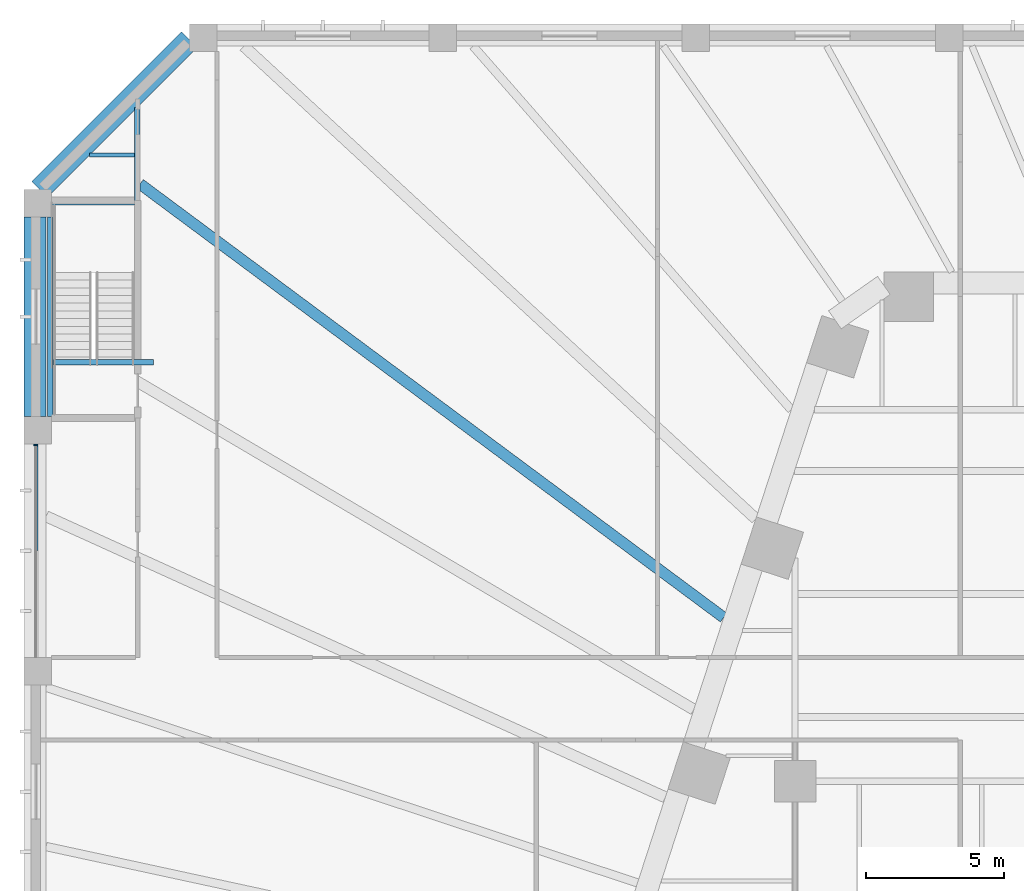
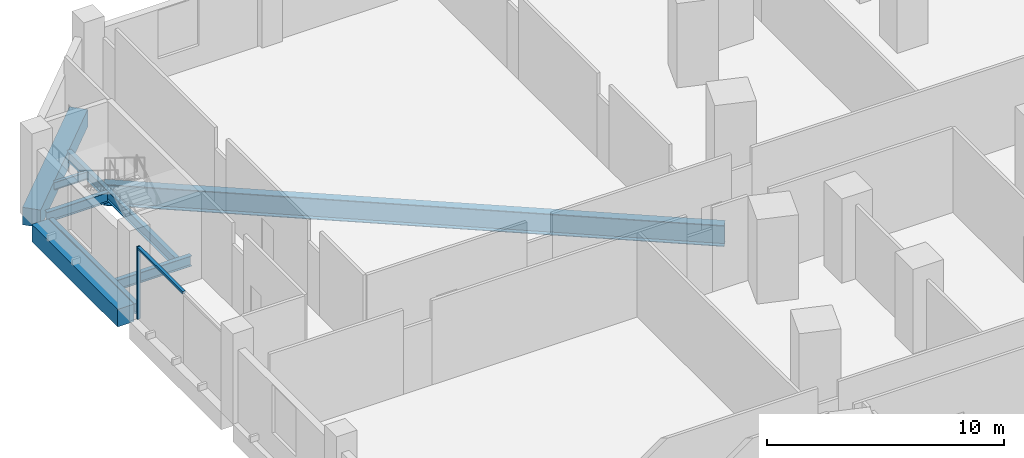
# One storey, part 11 of 33: 8 beams, 2 members, 1 element without a shape of its own.
"""IFC4 building model written with IfcOpenShell, lengths in metres."""

from ifc_helpers import new_model, si_unit, direction, frame, origin, origin_2d, place, context, subcontext, project, spatial, rectangle, i_section, extrude, material, layer, layer_set, material_profile, profile_set, type_object, element, aggregate, save


model = new_model("IFC4")

# Units and contexts
model_context = context("Model", 3, precision=1e-05, world=origin(), true_north=direction((0.0, 1.0)))
body_context = subcontext(model_context, "Body", "Model", "MODEL_VIEW")
ifc_project = project(units=[si_unit("LENGTHUNIT", "METRE"), si_unit("AREAUNIT", "SQUARE_METRE"), si_unit("VOLUMEUNIT", "CUBIC_METRE"), si_unit("PLANEANGLEUNIT", "RADIAN"), si_unit("MASSUNIT", "GRAM", prefix="KILO")], contexts=[model_context])

# Site, building, storey
site_placement = place(None, origin())
site = spatial("IfcSite", under=ifc_project, at=site_placement, CompositionType="ELEMENT")
building_placement = place(site_placement, origin())
building = spatial("IfcBuilding", under=site, at=building_placement, Name="Isthmus Gate Tower", CompositionType="ELEMENT")
storey_placement = place(building_placement, frame((0.0, 0.0, 31.5)))
storey = spatial("IfcBuildingStorey", under=building, at=storey_placement, Name="L05", CompositionType="ELEMENT", Elevation=31.5)

# Curtain wall, members
ifc_material_1 = material(Name="Aluminium, pale champagne anodised", Category="aluminium")
ifc_layer = layer(ifc_material_1, 0.14990234375)
ifc_layer_set = layer_set([ifc_layer], Name="CW-3 STOREFRONT CURTAIN WALL 150 DEEP")
curtain_wall_type = type_object("IfcCurtainWallType", Name="CW-3 STOREFRONT CURTAIN WALL 150 DEEP", PredefinedType="NOTDEFINED", material=ifc_layer_set)
curtain_wall_placement = place(storey_placement, origin())
curtain_wall = element("IfcCurtainWall", 1, at=curtain_wall_placement, inside=storey, type_object=curtain_wall_type, Name="CW-3 W L05", PredefinedType="NOTDEFINED")
ifc_material_2 = material(Name="Aluminium, pale champagne anodised", Category="aluminium")
ifc_material_profile_1 = material_profile(ifc_material_2, rectangle(XDim=0.06005859375, YDim=0.14990234375, at=origin_2d()), Name="60x150")
ifc_profile_set_1 = profile_set([ifc_material_profile_1], Name="Aluminium, pale champagne anodised")
member_type_1 = type_object("IfcMemberType", Name="CW-3 MULLION 60 X 150", PredefinedType="MULLION", material=ifc_profile_set_1)
member_1_placement = place(storey_placement, frame((-51.574951171875, 25.719970703125, -0.300048828125), z_axis=(0.0, 0.0, 1.0), x_axis=(0.0, -1.0, 0.0)))
member_1 = element("IfcMember", 2, at=member_1_placement, type_object=member_type_1, Name="CW-3 mullion", PredefinedType="MULLION", context=body_context, shape_type="SweptSolid", body=[
    extrude(rectangle(XDim=0.06005859375, YDim=0.14990234375, at=origin_2d()), origin(), (0.0, 0.0, 1.0), 3.75),
])
ifc_material_3 = material(Name="Aluminium, pale champagne anodised", Category="aluminium")
ifc_material_profile_2 = material_profile(ifc_material_3, rectangle(XDim=0.14990234375, YDim=0.1201171875, at=origin_2d()), Name="150x120")
ifc_profile_set_2 = profile_set([ifc_material_profile_2], Name="Aluminium, pale champagne anodised")
member_type_2 = type_object("IfcMemberType", Name="CW-3 TRANSOM 150 X 120", PredefinedType="USERDEFINED", material=ifc_profile_set_2)
member_2_placement = place(storey_placement, frame((-51.574951171875, 25.68994140625, 3.389892578125), z_axis=(0.0, -1.0, 0.0), x_axis=(1.0, 0.0, 0.0)))
member_2 = element("IfcMember", 3, at=member_2_placement, type_object=member_type_2, Name="CW-3 transom", ObjectType="TRANSOM", PredefinedType="USERDEFINED", context=body_context, shape_type="SweptSolid", body=[
    extrude(rectangle(XDim=0.14990234375, YDim=0.1201171875, at=origin_2d()), origin(), (0.0, 0.0, 1.0), 3.81494140625),
])
aggregate(curtain_wall, [member_1, member_2])

# Beams
ifc_material_4 = material(Name="Concrete f'c 70 MPa", Category="concrete")
ifc_material_profile_3 = material_profile(ifc_material_4, rectangle(XDim=0.800048828125, YDim=0.89990234375, at=origin_2d()), Name="RC 800X900")
ifc_profile_set_3 = profile_set([ifc_material_profile_3], Name="Concrete f'c 70 MPa")
beam_type_1 = type_object("IfcBeamType", Name="RC EDGE BEAM 800 X 900", PredefinedType="BEAM", material=ifc_profile_set_3)
beam_1_placement = place(storey_placement, frame((-51.60009765625, 26.75, -0.75), z_axis=(0.0, 1.0, 0.0), x_axis=(-1.0, 0.0, 0.0)))
element("IfcBeam", 4, at=beam_1_placement, inside=storey, type_object=beam_type_1, Name="str-edgebeam-L05-07", PredefinedType="BEAM", context=body_context, shape_type="SweptSolid", body=[
    extrude(rectangle(XDim=0.800048828125, YDim=0.89990234375, at=origin_2d()), origin(), (0.0, 0.0, 1.0), 7.25),
])
beam_2_placement = place(storey_placement, frame((-51.434326171875, 35.0, -0.75), z_axis=(0.707106781187, 0.707106781187, 0.0), x_axis=(-0.707106781187, 0.707106781187, 0.0)))
element("IfcBeam", 5, at=beam_2_placement, inside=storey, type_object=beam_type_1, Name="str-edgebeam-L05-08", PredefinedType="BEAM", context=body_context, shape_type="SweptSolid", body=[
    extrude(rectangle(XDim=0.800048828125, YDim=0.89990234375, at=origin_2d()), origin(), (0.0, 0.0, 1.0), 7.685302734375),
])
ifc_material_5 = material(Name="Structural steel ASTM A992 Gr 50", Category="steel")
ifc_material_profile_4 = material_profile(ifc_material_5, i_section(OverallWidth=0.1396484375, OverallDepth=0.4033203125, WebThickness=0.00634765625, FlangeThickness=0.010986328125, at=origin_2d()), Name="W16X31")
ifc_profile_set_4 = profile_set([ifc_material_profile_4], Name="Structural steel ASTM A992 Gr 50")
beam_type_2 = type_object("IfcBeamType", Name="STEEL FLOOR BEAM W16X31", PredefinedType="JOIST", material=ifc_profile_set_4)
beam_3_placement = place(storey_placement, frame((-49.616943359375, 36.25146484375, -0.501708984375), z_axis=(1.0, 0.0, 0.0), x_axis=(0.0, 1.0, 0.0)))
element("IfcBeam", 6, at=beam_3_placement, inside=storey, type_object=beam_type_2, Name="str-beam-L05-04-00", PredefinedType="JOIST", context=body_context, shape_type="SweptSolid", body=[
    extrude(i_section(OverallWidth=0.1396484375, OverallDepth=0.4033203125, WebThickness=0.00634765625, FlangeThickness=0.010986328125, at=origin_2d()), origin(), (0.0, 0.0, 1.0), 1.616943359375),
])
ifc_material_6 = material(Name="Structural steel ASTM A992 Gr 50", Category="steel")
ifc_material_profile_5 = material_profile(ifc_material_6, i_section(OverallWidth=0.39990234375, OverallDepth=1.089111328125, WebThickness=0.017578125, FlangeThickness=0.03173828125, at=origin_2d()), Name="W44X230")
ifc_profile_set_5 = profile_set([ifc_material_profile_5], Name="Structural steel ASTM A992 Gr 50")
beam_type_3 = type_object("IfcBeamType", Name="STEEL FLOOR BEAM W44X230", PredefinedType="JOIST", material=ifc_profile_set_5)
beam_4_placement = place(storey_placement, frame((-26.59326171875, 19.446044921875, -0.844482421875), z_axis=(-0.802712108421, 0.596366725257, 0.0), x_axis=(-0.596366725257, -0.802712108421, 0.0)))
element("IfcBeam", 7, at=beam_4_placement, inside=storey, type_object=beam_type_3, Name="str-beam-L05-19-25", PredefinedType="JOIST", context=body_context, shape_type="SweptSolid", body=[
    extrude(i_section(OverallWidth=0.39990234375, OverallDepth=1.089111328125, WebThickness=0.017578125, FlangeThickness=0.03173828125, at=origin_2d()), origin(), (0.0, 0.0, 1.0), 26.406982421875),
])
ifc_material_7 = material(Name="Structural steel ASTM A992 Gr 50", Category="steel")
ifc_material_profile_6 = material_profile(ifc_material_7, i_section(OverallWidth=0.20947265625, OverallDepth=0.533447265625, WebThickness=0.009521484375, FlangeThickness=0.015869140625, at=origin_2d()), Name="W21X62")
ifc_profile_set_6 = profile_set([ifc_material_profile_6], Name="Structural steel ASTM A992 Gr 50")
beam_type_4 = type_object("IfcBeamType", Name="STEEL TRIMMER W21X62", PredefinedType="BEAM", material=ifc_profile_set_6)
beam_5_placement = place(storey_placement, frame((-47.895263671875, 28.824951171875, -0.566650390625), z_axis=(0.0, 1.0, 0.0), x_axis=(-1.0, 0.0, 0.0)))
element("IfcBeam", 8, at=beam_5_placement, inside=storey, type_object=beam_type_4, Name="str-trimmer-L05-09", PredefinedType="BEAM", context=body_context, shape_type="SweptSolid", body=[
    extrude(i_section(OverallWidth=0.20947265625, OverallDepth=0.533447265625, WebThickness=0.009521484375, FlangeThickness=0.015869140625, at=origin_2d()), origin(), (0.0, 0.0, 1.0), 9.1484375),
])
beam_6_placement = place(storey_placement, frame((-51.0546875, 34.0, -0.566650390625), z_axis=(0.0, -1.0, 0.0), x_axis=(1.0, 0.0, 0.0)))
element("IfcBeam", 9, at=beam_6_placement, inside=storey, type_object=beam_type_4, Name="str-trimmer-L05-10", PredefinedType="BEAM", context=body_context, shape_type="SweptSolid", body=[
    extrude(i_section(OverallWidth=0.20947265625, OverallDepth=0.533447265625, WebThickness=0.009521484375, FlangeThickness=0.015869140625, at=origin_2d()), origin(), (0.0, 0.0, 1.0), 7.25),
])
beam_7_placement = place(storey_placement, frame((-48.0, 34.52978515625, -0.566650390625), z_axis=(-1.0, 0.0, 0.0), x_axis=(0.0, -1.0, 0.0)))
element("IfcBeam", 10, at=beam_7_placement, inside=storey, type_object=beam_type_4, Name="str-trimmer-L05-19", PredefinedType="BEAM", context=body_context, shape_type="SweptSolid", body=[
    extrude(i_section(OverallWidth=0.20947265625, OverallDepth=0.533447265625, WebThickness=0.009521484375, FlangeThickness=0.015869140625, at=origin_2d()), origin(), (0.0, 0.0, 1.0), 3.0),
])
beam_8_placement = place(storey_placement, frame((-50.949951171875, 28.72021484375, -0.566650390625), z_axis=(1.0, 0.0, 0.0), x_axis=(0.0, 1.0, 0.0)))
element("IfcBeam", 11, at=beam_8_placement, inside=storey, type_object=beam_type_4, Name="str-trimmer-L05-20", PredefinedType="BEAM", context=body_context, shape_type="SweptSolid", body=[
    extrude(i_section(OverallWidth=0.20947265625, OverallDepth=0.533447265625, WebThickness=0.009521484375, FlangeThickness=0.015869140625, at=origin_2d()), origin(), (0.0, 0.0, 1.0), 3.64990234375),
])

save(model, "model.ifc")
